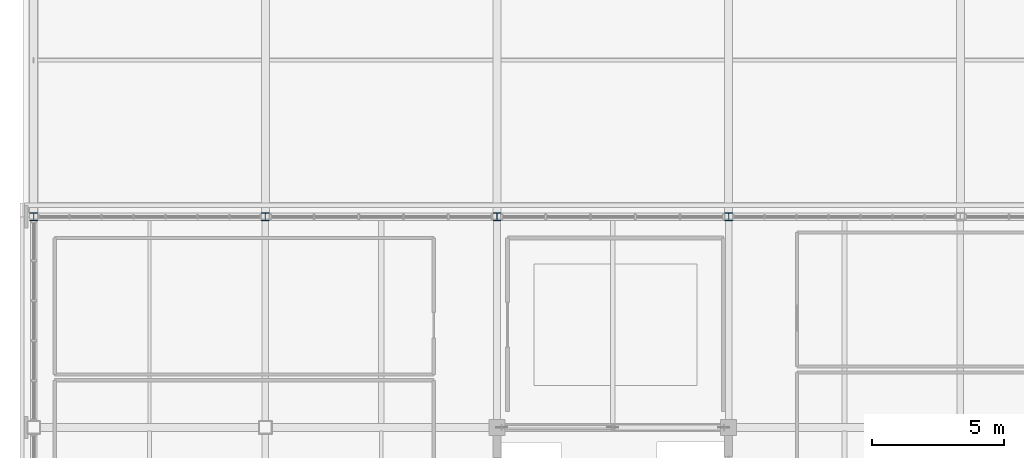
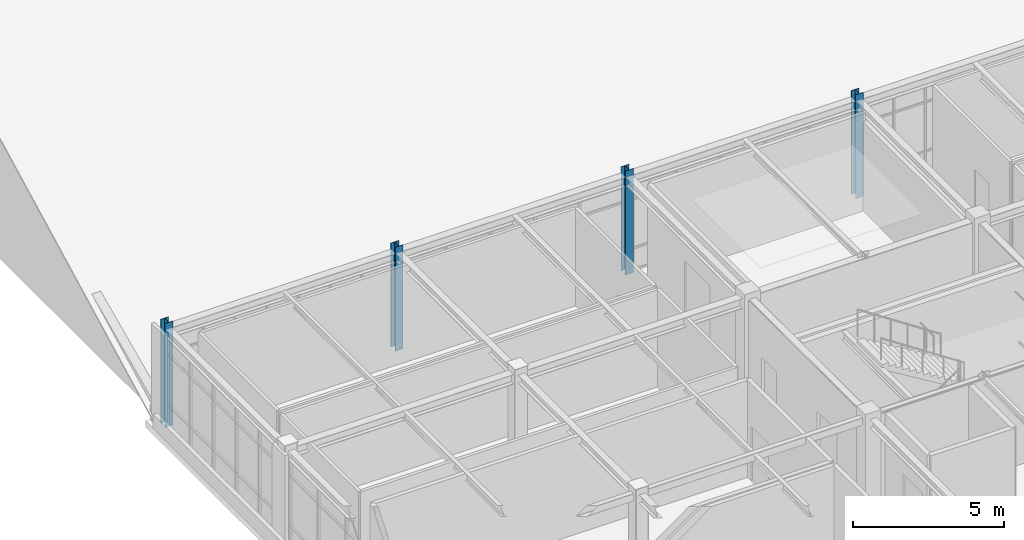
# One storey, part 2 of 45: 4 columns.
"""IFC4 building model written with IfcOpenShell, lengths in metres."""

from ifc_helpers import new_model, si_unit, direction, frame, origin, origin_2d, place, context, subcontext, project, spatial, i_section, extrude, material, material_profile, profile_set, type_object, element, save


model = new_model("IFC4")

# Units and contexts
model_context = context("Model", 3, precision=1e-05, world=origin(), true_north=direction((0.0, 1.0)))
body_context = subcontext(model_context, "Body", "Model", "MODEL_VIEW")
ifc_project = project(units=[si_unit("LENGTHUNIT", "METRE"), si_unit("AREAUNIT", "SQUARE_METRE"), si_unit("VOLUMEUNIT", "CUBIC_METRE"), si_unit("PLANEANGLEUNIT", "RADIAN"), si_unit("MASSUNIT", "GRAM", prefix="KILO")], contexts=[model_context])

# Site, building, storey
site_placement = place(None, origin())
site = spatial("IfcSite", under=ifc_project, at=site_placement, CompositionType="ELEMENT")
building_placement = place(site_placement, origin())
building = spatial("IfcBuilding", under=site, at=building_placement, Name="Zhaolan Boulevard Law Courts", CompositionType="ELEMENT")
storey_placement = place(building_placement, frame((0.0, 0.0, 24.60009765625)))
storey = spatial("IfcBuildingStorey", under=building, at=storey_placement, Name="L05", CompositionType="ELEMENT", Elevation=24.60009765625)

# Columns
ifc_material = material(Name="Structural steel Q355B", Category="steel")
ifc_material_profile = material_profile(ifc_material, i_section(OverallWidth=0.300048828125, OverallDepth=0.300048828125, WebThickness=0.010009765625, FlangeThickness=0.014892578125, FilletRadius=0.01806640625, at=origin_2d()), Name="HW300x300")
ifc_profile_set = profile_set([ifc_material_profile], Name="Structural steel Q355B")
column_type = type_object("IfcColumnType", Name="COL HW300", PredefinedType="COLUMN", material=ifc_profile_set)
for number, where, z_axis, x_axis, name in (
    (1, (0.0, 78.0, 0.0), (0.0, 0.0, 1.0), (1.0, 0.0, 0.0), "Column C-1L (L05)"),
    (2, (8.800048828125, 78.0, 0.0), (0.0, 0.0, 1.0), (1.0, 0.0, 0.0), "Column C-2L (L05)"),
    (3, (17.60009765625, 78.0, 0.0), (0.0, 0.0, 1.0), (1.0, 0.0, 0.0), "Column C-3L (L05)"),
    (4, (26.39990234375, 78.0, 0.0), (0.0, 0.0, 1.0), (1.0, 0.0, 0.0), "Column C-4L (L05)"),
):
    element("IfcColumn", number, at=place(storey_placement, frame(where, z_axis=z_axis, x_axis=x_axis)), inside=storey, type_object=column_type, Name=name, PredefinedType="COLUMN", context=body_context, shape_type="SweptSolid", body=[
        extrude(i_section(OverallWidth=0.300048828125, OverallDepth=0.300048828125, WebThickness=0.010009765625, FlangeThickness=0.014892578125, FilletRadius=0.01806640625, at=origin_2d()), origin(), (0.0, 0.0, 1.0), 4.199951171875),
    ])

save(model, "model.ifc")
